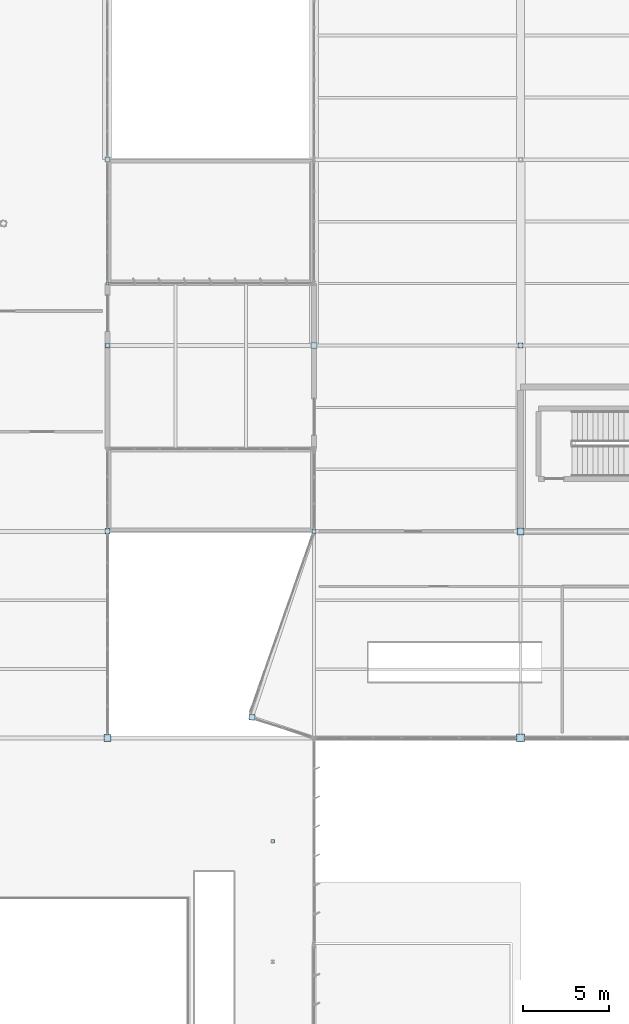
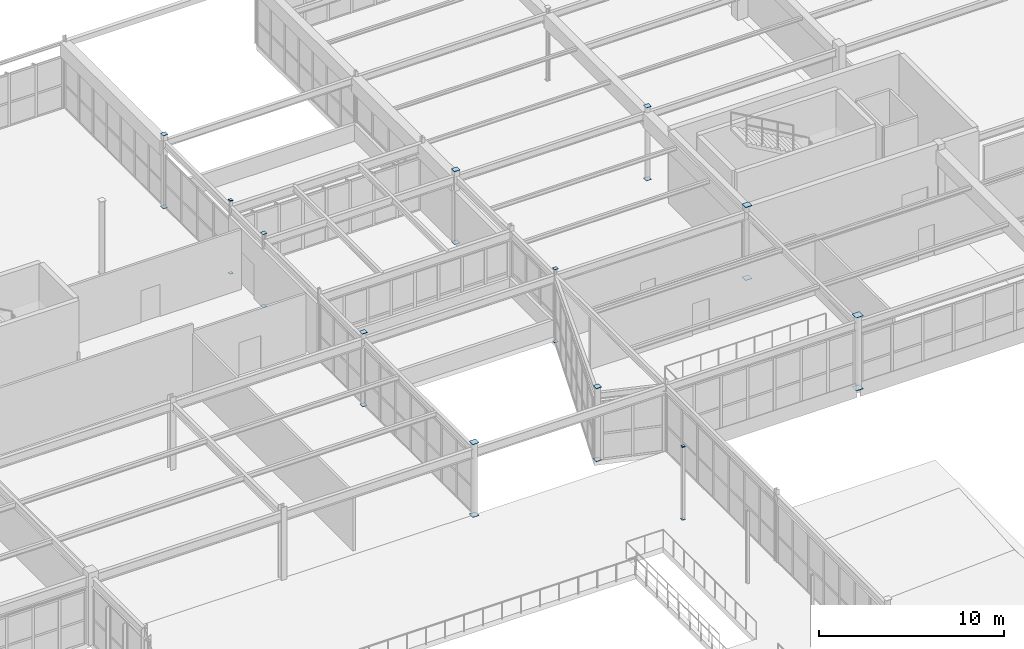
# One storey, part 184 of 226: 24 plates.
"""IFC4 building model written with IfcOpenShell, lengths in metres."""

import ifcopenshell
import ifcopenshell.guid

model = None  # the IFC model being written
_history = None  # IfcOwnerHistory: only IFC2X3 demands one
_inside = {}  # id of a spatial element -> (the spatial element, [elements in it])
_under = {}  # id of a project, library or spatial element -> (it, [spatial elements below it])
_declared = {}  # id of a project -> (the project, [libraries it declares])
_typed = {}  # id of a type object -> (the type object, [elements of that type])
_made_of = {}  # id of a material, layer set ... -> (it, [elements and type objects made of it])


def new_model(schema):
    """Start an empty IFC model of exactly this schema.

    Asked for "IFC4X3", IfcOpenShell would pick the latest addendum, in which some entities
    have other attributes; the version numbers below select the first issue.
    IFC2X3 requires an IfcOwnerHistory on every rooted entity: one is made here for all.
    """
    global model, _history
    if schema == "IFC4X3":
        model = ifcopenshell.file(schema_version=(4, 3, 0, 0))
    else:
        model = ifcopenshell.file(schema=schema)
    _inside.clear()
    _under.clear()
    _declared.clear()
    _typed.clear()
    _made_of.clear()
    _history = None
    if model.schema == "IFC2X3":
        org = make("IfcOrganization", Name="unknown")
        user = make(
            "IfcPersonAndOrganization",
            ThePerson=make("IfcPerson", FamilyName="unknown"),
            TheOrganization=org,
        )
        app = make(
            "IfcApplication",
            ApplicationDeveloper=org,
            Version="unknown",
            ApplicationFullName="unknown",
            ApplicationIdentifier="unknown",
        )
        _history = make(
            "IfcOwnerHistory",
            OwningUser=user,
            OwningApplication=app,
            ChangeAction="ADDED",
            CreationDate=0,
        )
    return model


def make(cls, **values):
    """One entity of the class cls with the attributes given. An attribute that is None is left unset."""
    return model.create_entity(
        cls, **{name: value for name, value in values.items() if value is not None}
    )


def rooted(cls, **values):
    """An entity with a GlobalId (a new one), such as an element, a storey or a relation."""
    return make(cls, GlobalId=ifcopenshell.guid.new(), OwnerHistory=_history, **values)


def si_unit(unit_type, name, prefix=None):
    """IfcSIUnit, for example si_unit("LENGTHUNIT", "METRE", prefix="MILLI")."""
    return make("IfcSIUnit", UnitType=unit_type, Prefix=prefix, Name=name)


def assignment(units):
    """IfcUnitAssignment: the units of a project."""
    return None if units is None else make("IfcUnitAssignment", Units=units)


def point(xyz):
    """IfcCartesianPoint."""
    return None if xyz is None else make("IfcCartesianPoint", Coordinates=xyz)


def direction(xyz):
    """IfcDirection."""
    return None if xyz is None else make("IfcDirection", DirectionRatios=xyz)


def frame(location, z_axis=None, x_axis=None):
    """IfcAxis2Placement3D, a coordinate frame: its origin and axes. An axis left out is left unset."""
    return make(
        "IfcAxis2Placement3D",
        Location=point(location),
        Axis=direction(z_axis),
        RefDirection=direction(x_axis),
    )


def frame_2d(location, x_axis=None):
    """IfcAxis2Placement2D, a coordinate frame in the plane: its origin and x axis."""
    return make(
        "IfcAxis2Placement2D", Location=point(location), RefDirection=direction(x_axis)
    )


def origin():
    """The frame at (0, 0, 0) with its axes left unset."""
    return frame((0.0, 0.0, 0.0))


def origin_2d():
    """The frame at (0, 0) in the plane with its x axis left unset."""
    return frame_2d((0.0, 0.0))


def place(relative_to, where):
    """IfcLocalPlacement: puts the frame where relative to a parent placement (None: the world)."""
    return make(
        "IfcLocalPlacement", PlacementRelTo=relative_to, RelativePlacement=where
    )


def context(
    kind, dimensions, precision=None, world=None, true_north=None, identifier=None
):
    """IfcGeometricRepresentationContext, for example the 3D "Model" context."""
    return make(
        "IfcGeometricRepresentationContext",
        ContextIdentifier=identifier,
        ContextType=kind,
        CoordinateSpaceDimension=dimensions,
        Precision=precision,
        WorldCoordinateSystem=world,
        TrueNorth=true_north,
    )


def subcontext(parent, identifier, kind, view, scale=None):
    """IfcGeometricRepresentationSubContext, for example "Body" below "Model"."""
    return make(
        "IfcGeometricRepresentationSubContext",
        ContextIdentifier=identifier,
        ContextType=kind,
        ParentContext=parent,
        TargetScale=scale,
        TargetView=view,
    )


def project(units=None, contexts=None):
    """IfcProject with its units and contexts."""
    return rooted(
        "IfcProject",
        Name="project",
        RepresentationContexts=contexts,
        UnitsInContext=assignment(units),
    )


def spatial(cls, under=None, at=None, **own):
    """A site, building, storey or space (cls), placed at a placement, below another one or the project."""
    s = rooted(cls, ObjectPlacement=at, **own)
    if under is not None:
        _under.setdefault(under.id(), (under, []))[1].append(s)
    return s


def profile(cls, at=None, kind="AREA", **sizes):
    """A parametric profile (cls). Its sizes go by their IFC names, for example OverallWidth=200.0."""
    return make(cls, ProfileType=kind, Position=at, **sizes)


def rectangle(**sizes):
    """IfcRectangleProfileDef."""
    return profile("IfcRectangleProfileDef", **sizes)


def extrude(swept, where, along, depth):
    """IfcExtrudedAreaSolid: the profile swept, set in the frame where, extruded along a direction by depth."""
    return make(
        "IfcExtrudedAreaSolid",
        SweptArea=swept,
        Position=where,
        ExtrudedDirection=direction(along),
        Depth=depth,
    )


def shape(context_of_items, identifier, shape_type, items):
    """IfcShapeRepresentation: the items that make up one representation, for example the "Body"."""
    return make(
        "IfcShapeRepresentation",
        ContextOfItems=context_of_items,
        RepresentationIdentifier=identifier,
        RepresentationType=shape_type,
        Items=items,
    )


def material(Name=None, Category=None):
    """IfcMaterial."""
    return make("IfcMaterial", Name=Name, Category=Category)


def layer(
    of_material, thickness, ventilated=None, Name=None, Category=None, Priority=None
):
    """IfcMaterialLayer: one layer of a wall or slab, of a material (None: an air gap)."""
    return make(
        "IfcMaterialLayer",
        Material=of_material,
        LayerThickness=thickness,
        IsVentilated=ventilated,
        Name=Name,
        Category=Category,
        Priority=Priority,
    )


def layer_set(layers, Name=None):
    """IfcMaterialLayerSet."""
    return make("IfcMaterialLayerSet", MaterialLayers=layers, LayerSetName=Name)


def made_of(thing, what):
    """Note that an element or type object is made of a material, layer set ...; save() writes the relation."""
    if what is not None:
        _made_of.setdefault(what.id(), (what, []))[1].append(thing)
    return thing


def type_object(cls, material=None, **own):
    """A type object (cls), such as IfcWallType, which elements share."""
    return made_of(rooted(cls, **own), material)


def element(
    cls,
    number,
    at=None,
    inside=None,
    cuts=None,
    type_object=None,
    material=None,
    context=None,
    identifier="Body",
    shape_type=None,
    held_by="IfcProductDefinitionShape",
    body=None,
    shapes=None,
    **own,
):
    """One element of the class cls, such as IfcWall. Its Tag is "e" and its number.

    at: its placement. inside: the storey or other place that contains it. cuts: it is an
    opening in that element (IfcRelVoidsElement). A single representation is given by context,
    identifier, shape_type and body (its items); several are given by shapes. held_by: the class
    of the entity that holds the representations. save() writes the other relations.
    """
    e = rooted(cls, Tag="e%d" % number, ObjectPlacement=at, **own)
    if body is not None:
        shapes = [shape(context, identifier, shape_type, body)]
    if shapes is not None:
        e.Representation = make(held_by, Representations=shapes)
    if inside is not None:
        _inside.setdefault(inside.id(), (inside, []))[1].append(e)
    if cuts is not None:
        rooted(
            "IfcRelVoidsElement", RelatingBuildingElement=cuts, RelatedOpeningElement=e
        )
    if type_object is not None:
        _typed.setdefault(type_object.id(), (type_object, []))[1].append(e)
    return made_of(e, material)


def aggregate(whole, parts):
    """IfcRelAggregates: a whole, such as a stair, and the parts it consists of."""
    return rooted("IfcRelAggregates", RelatingObject=whole, RelatedObjects=parts)


def save(model, path):
    """Write the relations noted so far, then the file.

    IfcRelAggregates (storeys below a building ...), IfcRelContainedInSpatialStructure (elements
    in a storey), IfcRelDefinesByType, IfcRelAssociatesMaterial and IfcRelDeclares: one each for
    every whole, place, type object, material and project.
    """
    for whole, parts in _under.values():
        aggregate(whole, parts)
    for where, things in _inside.values():
        rooted(
            "IfcRelContainedInSpatialStructure",
            RelatedElements=things,
            RelatingStructure=where,
        )
    for kind, things in _typed.values():
        rooted("IfcRelDefinesByType", RelatedObjects=things, RelatingType=kind)
    for what, things in _made_of.values():
        rooted("IfcRelAssociatesMaterial", RelatedObjects=things, RelatingMaterial=what)
    for by, libraries in _declared.values():
        rooted("IfcRelDeclares", RelatingContext=by, RelatedDefinitions=libraries)
    model.write(path)


model = new_model("IFC4")

# Units and contexts
model_context = context("Model", 3, precision=1e-05, world=origin(), true_north=direction((0.0, 1.0)))
body_context = subcontext(model_context, "Body", "Model", "MODEL_VIEW")
ifc_project = project(units=[si_unit("LENGTHUNIT", "METRE"), si_unit("AREAUNIT", "SQUARE_METRE"), si_unit("VOLUMEUNIT", "CUBIC_METRE"), si_unit("PLANEANGLEUNIT", "RADIAN"), si_unit("MASSUNIT", "GRAM", prefix="KILO")], contexts=[model_context])

# Site, building, storey
site_placement = place(None, origin())
site = spatial("IfcSite", under=ifc_project, at=site_placement, CompositionType="ELEMENT")
building_placement = place(site_placement, origin())
building = spatial("IfcBuilding", under=site, at=building_placement, Name="Tarnwether General Hospital", CompositionType="ELEMENT")
storey_placement = place(building_placement, frame((0.0, 0.0, 4.800048828125)))
storey = spatial("IfcBuildingStorey", under=building, at=storey_placement, Name="L01", CompositionType="ELEMENT", Elevation=4.800048828125)

# Plates
ifc_material = material(Name="Steel Grade 350 (350 MPa)", Category="steel")
ifc_layer = layer(ifc_material, 0.02490234375)
ifc_layer_set = layer_set([ifc_layer], Name="Steel Grade 350 (350 MPa)")
plate_type = type_object("IfcPlateType", Name="PT-GUS2", PredefinedType="USERDEFINED", material=ifc_layer_set)
for number, where, z_axis, x_axis, name in (
    (1, (132.0, 81.60009765625, -0.02490234375), (0.0, 0.0, 1.0), (1.0, 0.0, 0.0), "Hollow Section Welded End Cap Plate 0233"),
    (2, (132.0, 81.60009765625, 4.800048828125), (0.0, 0.0, 1.0), (1.0, 0.0, 0.0), "Hollow Section Welded End Cap Plate 0234"),
):
    element("IfcPlate", number, at=place(storey_placement, frame(where, z_axis=z_axis, x_axis=x_axis)), inside=storey, type_object=plate_type, Name=name, ObjectType="GUSSET", PredefinedType="USERDEFINED", context=body_context, shape_type="SweptSolid", body=[
        extrude(rectangle(XDim=0.39599609375, YDim=0.39599609375, at=origin_2d()), origin(), (0.0, 0.0, 1.0), 0.02490234375),
    ])
for number, where, z_axis, x_axis, name in (
    (3, (132.0, 93.60009765625, -0.02490234375), (0.0, 0.0, 1.0), (1.0, 0.0, 0.0), "Hollow Section Welded End Cap Plate 0241"),
    (4, (132.0, 93.60009765625, 4.800048828125), (0.0, 0.0, 1.0), (1.0, 0.0, 0.0), "Hollow Section Welded End Cap Plate 0242"),
):
    element("IfcPlate", number, at=place(storey_placement, frame(where, z_axis=z_axis, x_axis=x_axis)), inside=storey, type_object=plate_type, Name=name, ObjectType="GUSSET", PredefinedType="USERDEFINED", context=body_context, shape_type="SweptSolid", body=[
        extrude(rectangle(XDim=0.31298828125, YDim=0.31298828125, at=origin_2d()), origin(), (0.0, 0.0, 1.0), 0.02490234375),
    ])
for number, where, z_axis, x_axis, name in (
    (5, (132.0, 104.39990234375, -0.02490234375), (0.0, 0.0, 1.0), (1.0, 0.0, 0.0), "Hollow Section Welded End Cap Plate 0249"),
    (6, (132.0, 104.39990234375, 4.800048828125), (0.0, 0.0, 1.0), (1.0, 0.0, 0.0), "Hollow Section Welded End Cap Plate 0250"),
):
    element("IfcPlate", number, at=place(storey_placement, frame(where, z_axis=z_axis, x_axis=x_axis)), inside=storey, type_object=plate_type, Name=name, ObjectType="GUSSET", PredefinedType="USERDEFINED", context=body_context, shape_type="SweptSolid", body=[
        extrude(rectangle(XDim=0.259033203125, YDim=0.259033203125, at=origin_2d()), origin(), (0.0, 0.0, 1.0), 0.02490234375),
    ])
for number, where, z_axis, x_axis, name in (
    (7, (132.0, 115.199951171875, -0.02490234375), (0.0, 0.0, 1.0), (1.0, 0.0, 0.0), "Hollow Section Welded End Cap Plate 0257"),
    (8, (132.0, 115.199951171875, 4.800048828125), (0.0, 0.0, 1.0), (1.0, 0.0, 0.0), "Hollow Section Welded End Cap Plate 0258"),
):
    element("IfcPlate", number, at=place(storey_placement, frame(where, z_axis=z_axis, x_axis=x_axis)), inside=storey, type_object=plate_type, Name=name, ObjectType="GUSSET", PredefinedType="USERDEFINED", context=body_context, shape_type="SweptSolid", body=[
        extrude(rectangle(XDim=0.2900390625, YDim=0.2900390625, at=origin_2d()), origin(), (0.0, 0.0, 1.0), 0.02490234375),
    ])
for number, where, z_axis, x_axis, name in (
    (9, (144.0, 93.60009765625, -0.02490234375), (0.0, 0.0, 1.0), (1.0, 0.0, 0.0), "Hollow Section Welded End Cap Plate 0293"),
    (10, (144.0, 93.60009765625, 4.800048828125), (0.0, 0.0, 1.0), (1.0, 0.0, 0.0), "Hollow Section Welded End Cap Plate 0294"),
):
    element("IfcPlate", number, at=place(storey_placement, frame(where, z_axis=z_axis, x_axis=x_axis)), inside=storey, type_object=plate_type, Name=name, ObjectType="GUSSET", PredefinedType="USERDEFINED", context=body_context, shape_type="SweptSolid", body=[
        extrude(rectangle(XDim=0.23388671875, YDim=0.23388671875, at=origin_2d()), origin(), (0.0, 0.0, 1.0), 0.02490234375),
    ])
for number, where, z_axis, x_axis, name in (
    (11, (144.0, 104.39990234375, -0.02490234375), (0.0, 0.0, 1.0), (1.0, 0.0, 0.0), "Hollow Section Welded End Cap Plate 0299"),
    (12, (144.0, 104.39990234375, 4.800048828125), (0.0, 0.0, 1.0), (1.0, 0.0, 0.0), "Hollow Section Welded End Cap Plate 0300"),
):
    element("IfcPlate", number, at=place(storey_placement, frame(where, z_axis=z_axis, x_axis=x_axis)), inside=storey, type_object=plate_type, Name=name, ObjectType="GUSSET", PredefinedType="USERDEFINED", context=body_context, shape_type="SweptSolid", body=[
        extrude(rectangle(XDim=0.340087890625, YDim=0.340087890625, at=origin_2d()), origin(), (0.0, 0.0, 1.0), 0.02490234375),
    ])
for number, where, z_axis, x_axis, name in (
    (13, (156.0, 81.60009765625, -0.02490234375), (0.0, 0.0, 1.0), (1.0, 0.0, 0.0), "Hollow Section Welded End Cap Plate 0323"),
    (14, (156.0, 81.60009765625, 4.800048828125), (0.0, 0.0, 1.0), (1.0, 0.0, 0.0), "Hollow Section Welded End Cap Plate 0324"),
):
    element("IfcPlate", number, at=place(storey_placement, frame(where, z_axis=z_axis, x_axis=x_axis)), inside=storey, type_object=plate_type, Name=name, ObjectType="GUSSET", PredefinedType="USERDEFINED", context=body_context, shape_type="SweptSolid", body=[
        extrude(rectangle(XDim=0.446044921875, YDim=0.446044921875, at=origin_2d()), origin(), (0.0, 0.0, 1.0), 0.02490234375),
    ])
for number, where, z_axis, x_axis, name in (
    (15, (156.0, 93.60009765625, -0.02490234375), (0.0, 0.0, 1.0), (1.0, 0.0, 0.0), "Hollow Section Welded End Cap Plate 0331"),
    (16, (156.0, 93.60009765625, 4.800048828125), (0.0, 0.0, 1.0), (1.0, 0.0, 0.0), "Hollow Section Welded End Cap Plate 0332"),
):
    element("IfcPlate", number, at=place(storey_placement, frame(where, z_axis=z_axis, x_axis=x_axis)), inside=storey, type_object=plate_type, Name=name, ObjectType="GUSSET", PredefinedType="USERDEFINED", context=body_context, shape_type="SweptSolid", body=[
        extrude(rectangle(XDim=0.39599609375, YDim=0.39599609375, at=origin_2d()), origin(), (0.0, 0.0, 1.0), 0.02490234375),
    ])
for number, where, z_axis, x_axis, name in (
    (17, (156.0, 104.39990234375, -0.02490234375), (0.0, 0.0, 1.0), (1.0, 0.0, 0.0), "Hollow Section Welded End Cap Plate 0341"),
    (18, (156.0, 104.39990234375, 4.800048828125), (0.0, 0.0, 1.0), (1.0, 0.0, 0.0), "Hollow Section Welded End Cap Plate 0342"),
):
    element("IfcPlate", number, at=place(storey_placement, frame(where, z_axis=z_axis, x_axis=x_axis)), inside=storey, type_object=plate_type, Name=name, ObjectType="GUSSET", PredefinedType="USERDEFINED", context=body_context, shape_type="SweptSolid", body=[
        extrude(rectangle(XDim=0.31298828125, YDim=0.31298828125, at=origin_2d()), origin(), (0.0, 0.0, 1.0), 0.02490234375),
    ])
for number, where, z_axis, x_axis, name in (
    (19, (141.60009765625, 75.60009765625, -0.02490234375), (0.0, 0.0, 1.0), (1.0, 0.0, 0.0), "Hollow Section Welded End Cap Plate 0449"),
    (20, (141.60009765625, 75.60009765625, 4.800048828125), (0.0, 0.0, 1.0), (1.0, 0.0, 0.0), "Hollow Section Welded End Cap Plate 0450"),
    (21, (132.0, 108.0, -0.02490234375), (0.0, 0.0, 1.0), (1.0, 0.0, 0.0), "Hollow Section Welded End Cap Plate 0761"),
    (22, (132.0, 108.0, 4.800048828125), (0.0, 0.0, 1.0), (1.0, 0.0, 0.0), "Hollow Section Welded End Cap Plate 0762"),
):
    element("IfcPlate", number, at=place(storey_placement, frame(where, z_axis=z_axis, x_axis=x_axis)), inside=storey, type_object=plate_type, Name=name, ObjectType="GUSSET", PredefinedType="USERDEFINED", context=body_context, shape_type="SweptSolid", body=[
        extrude(rectangle(XDim=0.18994140625, YDim=0.18994140625, at=origin_2d()), origin(), (0.0, 0.0, 1.0), 0.02490234375),
    ])
for number, where, z_axis, x_axis, name in (
    (23, (140.39990234375, 82.800048828125, -0.02490234375), (0.0, 0.0, 1.0), (1.0, 0.0, 0.0), "Hollow Section Welded End Cap Plate 0793"),
    (24, (140.39990234375, 82.800048828125, 4.800048828125), (0.0, 0.0, 1.0), (1.0, 0.0, 0.0), "Hollow Section Welded End Cap Plate 0794"),
):
    element("IfcPlate", number, at=place(storey_placement, frame(where, z_axis=z_axis, x_axis=x_axis)), inside=storey, type_object=plate_type, Name=name, ObjectType="GUSSET", PredefinedType="USERDEFINED", context=body_context, shape_type="SweptSolid", body=[
        extrude(rectangle(XDim=0.340087890625, YDim=0.340087890625, at=origin_2d()), origin(), (0.0, 0.0, 1.0), 0.02490234375),
    ])

save(model, "model.ifc")
